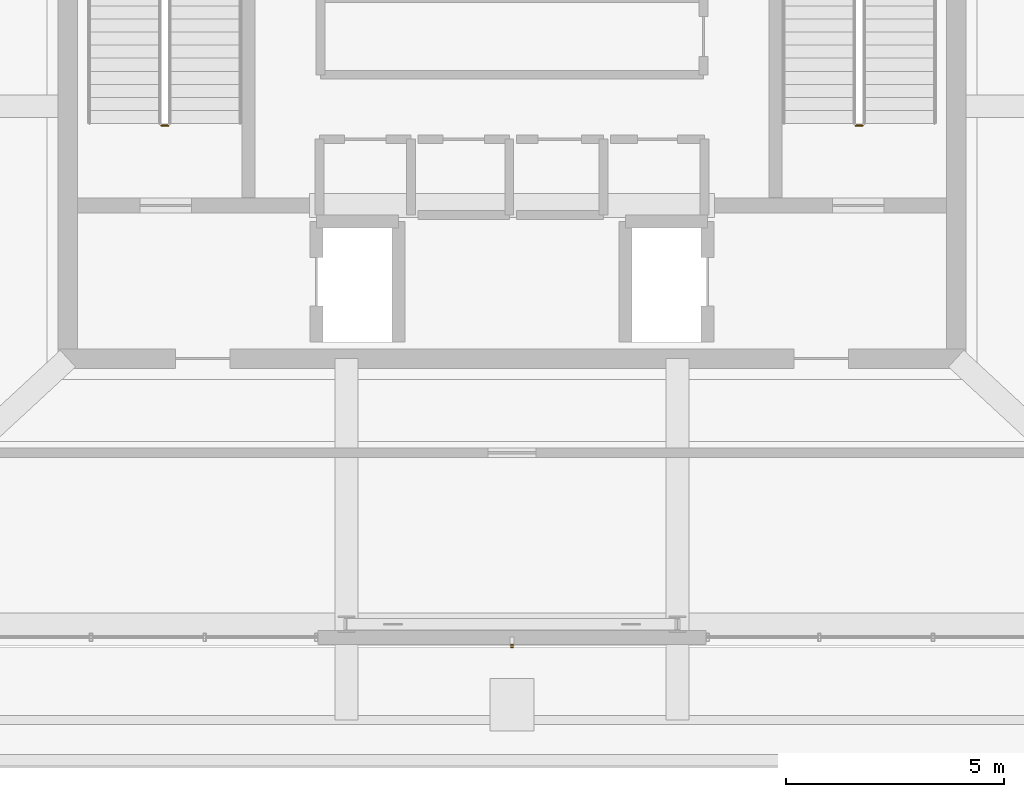
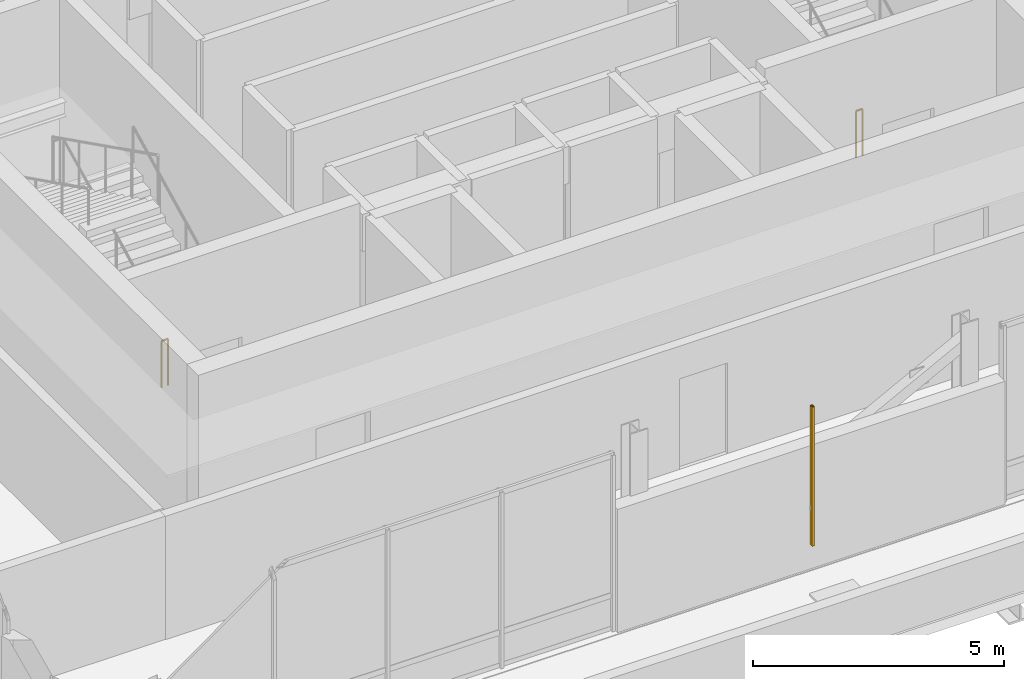
# One storey, part 26 of 28: 2 railings, 1 shading device.
"""IFC4 building model written with IfcOpenShell, lengths in metres."""

from ifc_helpers import new_model, si_unit, direction, frame, origin, origin_2d, place, context, subcontext, project, spatial, hollow_rectangle, circle, extrude, material, material_profile, profile_set, type_object, element, save


model = new_model("IFC4")

# Units and contexts
model_context = context("Model", 3, precision=1e-05, world=origin(), true_north=direction((0.0, 1.0)))
body_context = subcontext(model_context, "Body", "Model", "MODEL_VIEW")
ifc_project = project(units=[si_unit("LENGTHUNIT", "METRE"), si_unit("AREAUNIT", "SQUARE_METRE"), si_unit("VOLUMEUNIT", "CUBIC_METRE"), si_unit("PLANEANGLEUNIT", "RADIAN"), si_unit("MASSUNIT", "GRAM", prefix="KILO")], contexts=[model_context])

# Site, building, storey
site_placement = place(None, origin())
site = spatial("IfcSite", under=ifc_project, at=site_placement, CompositionType="ELEMENT")
building_placement = place(site_placement, origin())
building = spatial("IfcBuilding", under=site, at=building_placement, Name="Punatoya Terracotta Tower", CompositionType="ELEMENT")
storey_placement = place(building_placement, frame((0.0, 0.0, 352.800048828125)))
storey = spatial("IfcBuildingStorey", under=building, at=storey_placement, Name="L83", CompositionType="ELEMENT", Elevation=352.800048828125)

# Railings
ifc_material_1 = material(Name="Steel S355", Category="steel")
railing_type = type_object("IfcRailingType", Name="RLG-GRD-1150", PredefinedType="GUARDRAIL", material=ifc_material_1)
for number, where, name in (
    (1, (-7.89990234375, -3.85009765625, 0.0), "L83 ST-1 stair guard 4"),
    (2, (8.050048828125, -3.85009765625, 0.0), "L83 ST-2 stair guard 4"),
):
    element("IfcRailing", number, at=place(storey_placement, frame(where)), inside=storey, type_object=railing_type, Name=name, PredefinedType="GUARDRAIL", context=body_context, shape_type="SweptSolid", body=[
        extrude(circle(Radius=0.02392578125, at=origin_2d()), frame((0.0, 0.0, 1.1259765625), z_axis=(-1.0, 0.0, 0.0), x_axis=(0.0, -1.0, 0.0)), (0.0, 0.0, 1.0), 0.150146484375),
        extrude(circle(Radius=0.02099609375, at=origin_2d()), origin(), (0.0, 0.0, 1.0), 1.101806640625),
        extrude(circle(Radius=0.02099609375, at=origin_2d()), frame((-0.150146484375, 0.0, 0.0)), (0.0, 0.0, 1.0), 1.101806640625),
    ])

# Shading device
ifc_material_2 = material(Name="Architectural Fired Terracotta", Category="masonry")
ifc_material_profile = material_profile(ifc_material_2, hollow_rectangle(XDim=0.06005859375, YDim=0.090087890625, WallThickness=0.013916015625, at=origin_2d()))
ifc_profile_set = profile_set([ifc_material_profile], Name="Architectural Fired Terracotta")
shading_device_type = type_object("IfcShadingDeviceType", Name="SHD-JALI-90", PredefinedType="JALOUSIE", material=ifc_profile_set)
shading_device_placement = place(storey_placement, frame((0.0, -15.800048828125, 0.599853515625), z_axis=(0.0, 0.0, 1.0), x_axis=(1.0, 0.0, 0.0)))
element("IfcShadingDevice", 3, at=shading_device_placement, inside=storey, type_object=shading_device_type, Name="L83 Braced Bay Terracotta Jali Fin S1", PredefinedType="JALOUSIE", context=body_context, shape_type="SweptSolid", body=[
    extrude(hollow_rectangle(XDim=0.06005859375, YDim=0.090087890625, WallThickness=0.013916015625, at=origin_2d()), origin(), (0.0, 0.0, 1.0), 3.380126953125),
])

save(model, "model.ifc")
